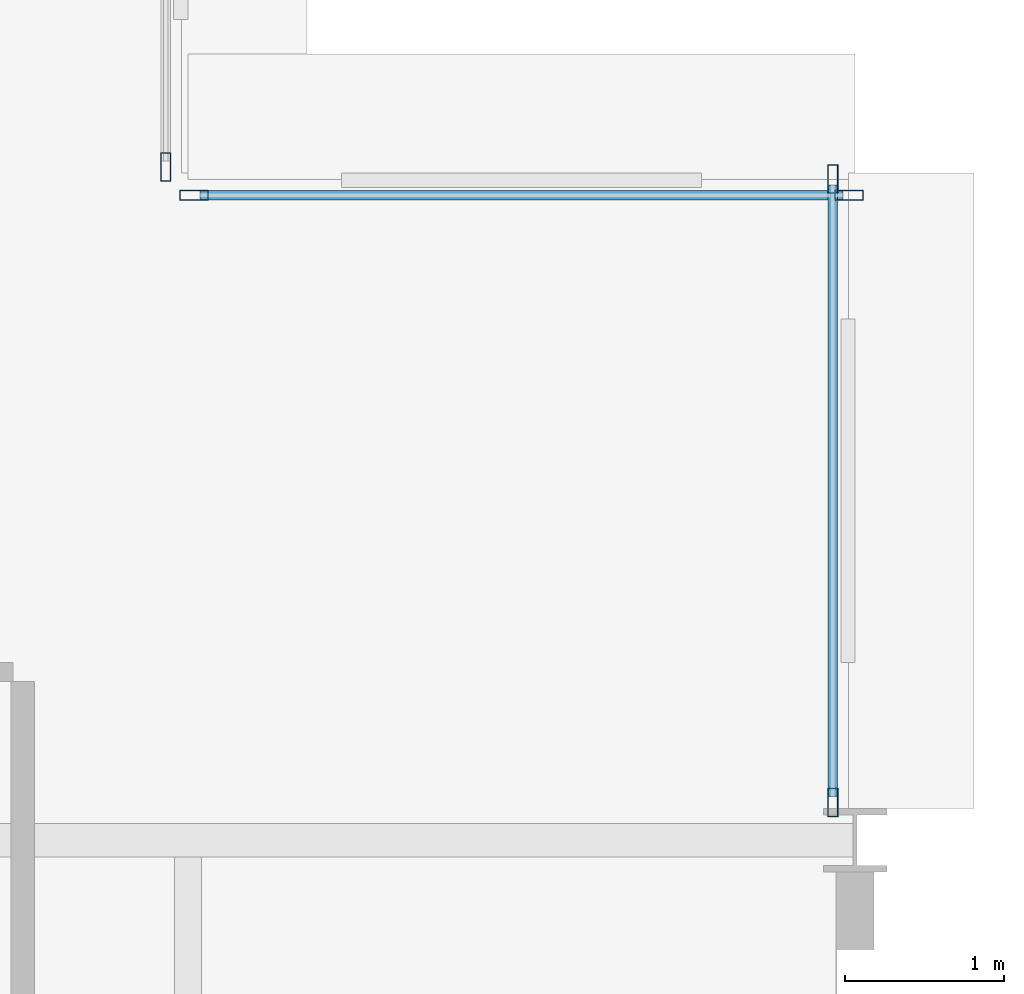
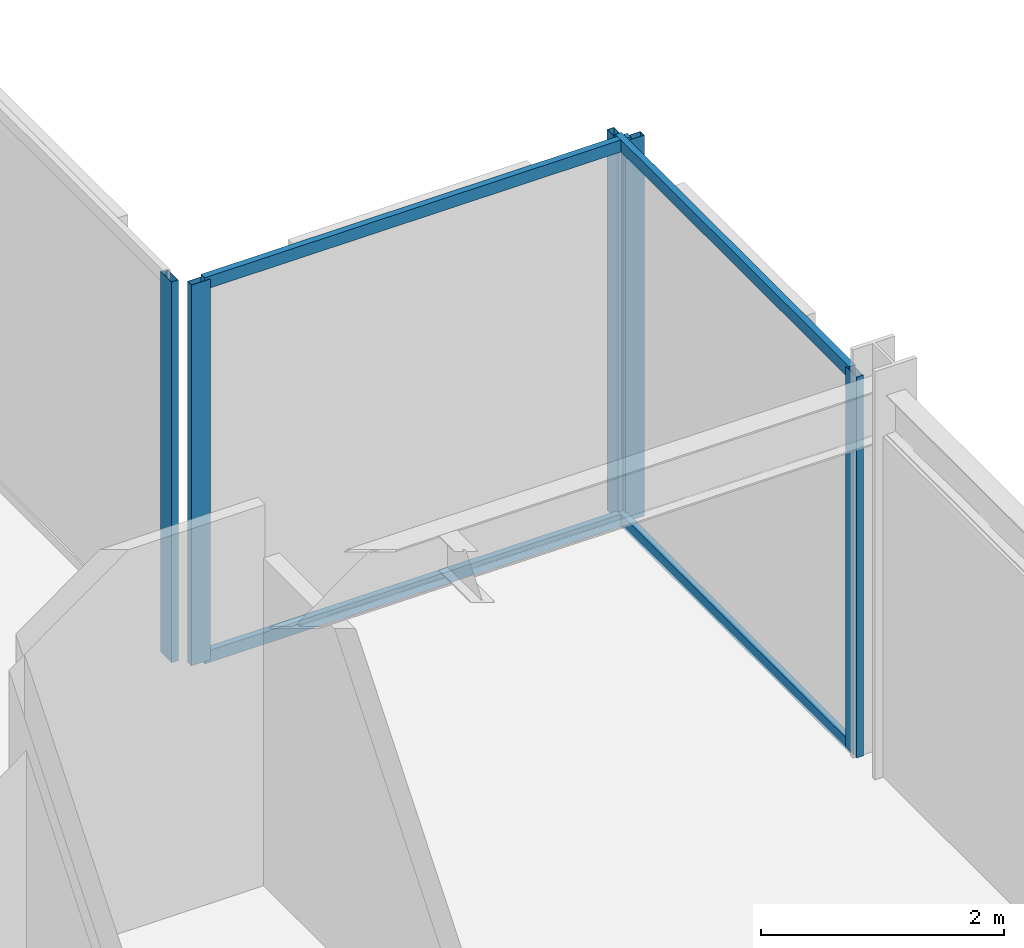
# One storey, part 20 of 30: 9 members, 3 elements without a shape of their own.
"""IFC4 building model written with IfcOpenShell, lengths in metres."""

from ifc_helpers import new_model, si_unit, direction, frame, origin, origin_2d, place, context, subcontext, project, spatial, hollow_rectangle, extrude, material, layer, layer_set, material_profile, profile_set, type_object, element, aggregate, save


model = new_model("IFC4")

# Units and contexts
model_context = context("Model", 3, precision=1e-05, world=origin(), true_north=direction((0.0, 1.0)))
body_context = subcontext(model_context, "Body", "Model", "MODEL_VIEW")
ifc_project = project(units=[si_unit("LENGTHUNIT", "METRE"), si_unit("AREAUNIT", "SQUARE_METRE"), si_unit("VOLUMEUNIT", "CUBIC_METRE"), si_unit("PLANEANGLEUNIT", "RADIAN"), si_unit("MASSUNIT", "GRAM", prefix="KILO")], contexts=[model_context])

# Site, building, storey
site_placement = place(None, origin())
site = spatial("IfcSite", under=ifc_project, at=site_placement, CompositionType="ELEMENT")
building_placement = place(site_placement, origin())
building = spatial("IfcBuilding", under=site, at=building_placement, Name="Nerrivon Quay Data Exchange", CompositionType="ELEMENT")
storey_placement = place(building_placement, frame((0.0, 0.0, 129.5)))
storey = spatial("IfcBuildingStorey", under=building, at=storey_placement, Name="L30", CompositionType="ELEMENT", Elevation=129.5)

# Curtain wall, member
ifc_material = material(Name="Anodised aluminium 6063-T6", Category="aluminium")
ifc_layer = layer(ifc_material, 0.2099609375)
ifc_layer_set = layer_set([ifc_layer], Name="Anodised aluminium 6063-T6")
curtain_wall_type = type_object("IfcCurtainWallType", Name="CW-SYS-02", PredefinedType="NOTDEFINED", material=ifc_layer_set)
curtain_wall_1_placement = place(storey_placement, origin())
curtain_wall_1 = element("IfcCurtainWall", 1, at=curtain_wall_1_placement, inside=storey, type_object=curtain_wall_type, Name="L30 Unitised Curtain Wall 21", PredefinedType="NOTDEFINED")
ifc_material_profile_1 = material_profile(ifc_material, hollow_rectangle(XDim=0.06494140625, YDim=0.179931640625, WallThickness=0.00341796875, at=origin_2d()), Name="ALU-MULL-180x65")
ifc_profile_set_1 = profile_set([ifc_material_profile_1], Name="Anodised aluminium 6063-T6")
member_type_1 = type_object("IfcMemberType", Name="CWM-180x65", PredefinedType="MULLION", material=ifc_profile_set_1)
member_1_placement = place(storey_placement, frame((20.860107421875, 46.237548828125, 0.0), z_axis=(0.0, 0.0, 1.0), x_axis=(1.0, 0.0, 0.0)))
member_1 = element("IfcMember", 2, at=member_1_placement, type_object=member_type_1, Name="CW02 mullion 2", PredefinedType="MULLION", context=body_context, shape_type="SweptSolid", body=[
    extrude(hollow_rectangle(XDim=0.06494140625, YDim=0.179931640625, WallThickness=0.00341796875, at=origin_2d()), origin(), (0.0, 0.0, 1.0), 3.824951171875),
])
aggregate(curtain_wall_1, [member_1])

# Curtain wall, members
curtain_wall_2_placement = place(storey_placement, origin())
curtain_wall_2 = element("IfcCurtainWall", 3, at=curtain_wall_2_placement, inside=storey, type_object=curtain_wall_type, Name="L30 Unitised Curtain Wall 22", PredefinedType="NOTDEFINED")
member_2_placement = place(storey_placement, frame((21.03759765625, 46.06005859375, 0.0), z_axis=(0.0, 0.0, 1.0), x_axis=(0.0, 1.0, 0.0)))
member_2 = element("IfcMember", 4, at=member_2_placement, type_object=member_type_1, Name="CW02 mullion 1", PredefinedType="MULLION", context=body_context, shape_type="SweptSolid", body=[
    extrude(hollow_rectangle(XDim=0.06494140625, YDim=0.179931640625, WallThickness=0.00341796875, at=origin_2d()), origin(), (0.0, 0.0, 1.0), 3.824951171875),
])
member_3_placement = place(storey_placement, frame((25.16259765625, 46.06005859375, 0.0), z_axis=(0.0, 0.0, 1.0), x_axis=(0.0, 1.0, 0.0)))
member_3 = element("IfcMember", 5, at=member_3_placement, type_object=member_type_1, Name="CW02 mullion 2", PredefinedType="MULLION", context=body_context, shape_type="SweptSolid", body=[
    extrude(hollow_rectangle(XDim=0.06494140625, YDim=0.179931640625, WallThickness=0.00341796875, at=origin_2d()), origin(), (0.0, 0.0, 1.0), 3.824951171875),
])

curtain_wall_3_placement = place(storey_placement, origin())
curtain_wall_3 = element("IfcCurtainWall", 6, at=curtain_wall_3_placement, inside=storey, type_object=curtain_wall_type, Name="L30 Unitised Curtain Wall 23", PredefinedType="NOTDEFINED")
member_4_placement = place(storey_placement, frame((25.06005859375, 46.16259765625, 0.0), z_axis=(0.0, 0.0, 1.0), x_axis=(1.0, 0.0, 0.0)))
member_4 = element("IfcMember", 7, at=member_4_placement, type_object=member_type_1, Name="CW02 mullion 1", PredefinedType="MULLION", context=body_context, shape_type="SweptSolid", body=[
    extrude(hollow_rectangle(XDim=0.06494140625, YDim=0.179931640625, WallThickness=0.00341796875, at=origin_2d()), origin(), (0.0, 0.0, 1.0), 3.824951171875),
])
member_5_placement = place(storey_placement, frame((25.06005859375, 42.237548828125, 0.0), z_axis=(0.0, 0.0, 1.0), x_axis=(1.0, 0.0, 0.0)))
member_5 = element("IfcMember", 8, at=member_5_placement, type_object=member_type_1, Name="CW02 mullion 2", PredefinedType="MULLION", context=body_context, shape_type="SweptSolid", body=[
    extrude(hollow_rectangle(XDim=0.06494140625, YDim=0.179931640625, WallThickness=0.00341796875, at=origin_2d()), origin(), (0.0, 0.0, 1.0), 3.824951171875),
])

# Member
ifc_material_profile_2 = material_profile(ifc_material, hollow_rectangle(XDim=0.06005859375, YDim=0.1201171875, WallThickness=0.003173828125, at=origin_2d()), Name="ALU-TRAN-120x60")
ifc_profile_set_2 = profile_set([ifc_material_profile_2], Name="Anodised aluminium 6063-T6")
member_type_2 = type_object("IfcMemberType", Name="CWT-120x60", PredefinedType="USERDEFINED", material=ifc_profile_set_2)
member_6_placement = place(storey_placement, frame((21.074951171875, 46.06005859375, 0.032470703125), z_axis=(1.0, 0.0, 0.0), x_axis=(0.0, 1.0, 0.0)))
member_6 = element("IfcMember", 9, at=member_6_placement, type_object=member_type_2, Name="CW02 transom 1.1", ObjectType="TRANSOM", PredefinedType="USERDEFINED", context=body_context, shape_type="SweptSolid", body=[
    extrude(hollow_rectangle(XDim=0.06005859375, YDim=0.1201171875, WallThickness=0.003173828125, at=origin_2d()), origin(), (0.0, 0.0, 1.0), 4.050048828125),
])

member_7_placement = place(storey_placement, frame((21.074951171875, 46.06005859375, 3.79248046875), z_axis=(1.0, 0.0, 0.0), x_axis=(0.0, 1.0, 0.0)))
member_7 = element("IfcMember", 10, at=member_7_placement, type_object=member_type_2, Name="CW02 transom 1.2", ObjectType="TRANSOM", PredefinedType="USERDEFINED", context=body_context, shape_type="SweptSolid", body=[
    extrude(hollow_rectangle(XDim=0.06005859375, YDim=0.1201171875, WallThickness=0.003173828125, at=origin_2d()), origin(), (0.0, 0.0, 1.0), 4.050048828125),
])

aggregate(curtain_wall_2, [member_2, member_3, member_6, member_7])

member_8_placement = place(storey_placement, frame((25.06005859375, 46.125, 0.032470703125), z_axis=(0.0, -1.0, 0.0), x_axis=(1.0, 0.0, 0.0)))
member_8 = element("IfcMember", 11, at=member_8_placement, type_object=member_type_2, Name="CW02 transom 1.1", ObjectType="TRANSOM", PredefinedType="USERDEFINED", context=body_context, shape_type="SweptSolid", body=[
    extrude(hollow_rectangle(XDim=0.06005859375, YDim=0.1201171875, WallThickness=0.003173828125, at=origin_2d()), origin(), (0.0, 0.0, 1.0), 3.85009765625),
])

member_9_placement = place(storey_placement, frame((25.06005859375, 46.125, 3.79248046875), z_axis=(0.0, -1.0, 0.0), x_axis=(1.0, 0.0, 0.0)))
member_9 = element("IfcMember", 12, at=member_9_placement, type_object=member_type_2, Name="CW02 transom 1.2", ObjectType="TRANSOM", PredefinedType="USERDEFINED", context=body_context, shape_type="SweptSolid", body=[
    extrude(hollow_rectangle(XDim=0.06005859375, YDim=0.1201171875, WallThickness=0.003173828125, at=origin_2d()), origin(), (0.0, 0.0, 1.0), 3.85009765625),
])

aggregate(curtain_wall_3, [member_4, member_5, member_8, member_9])

save(model, "model.ifc")
